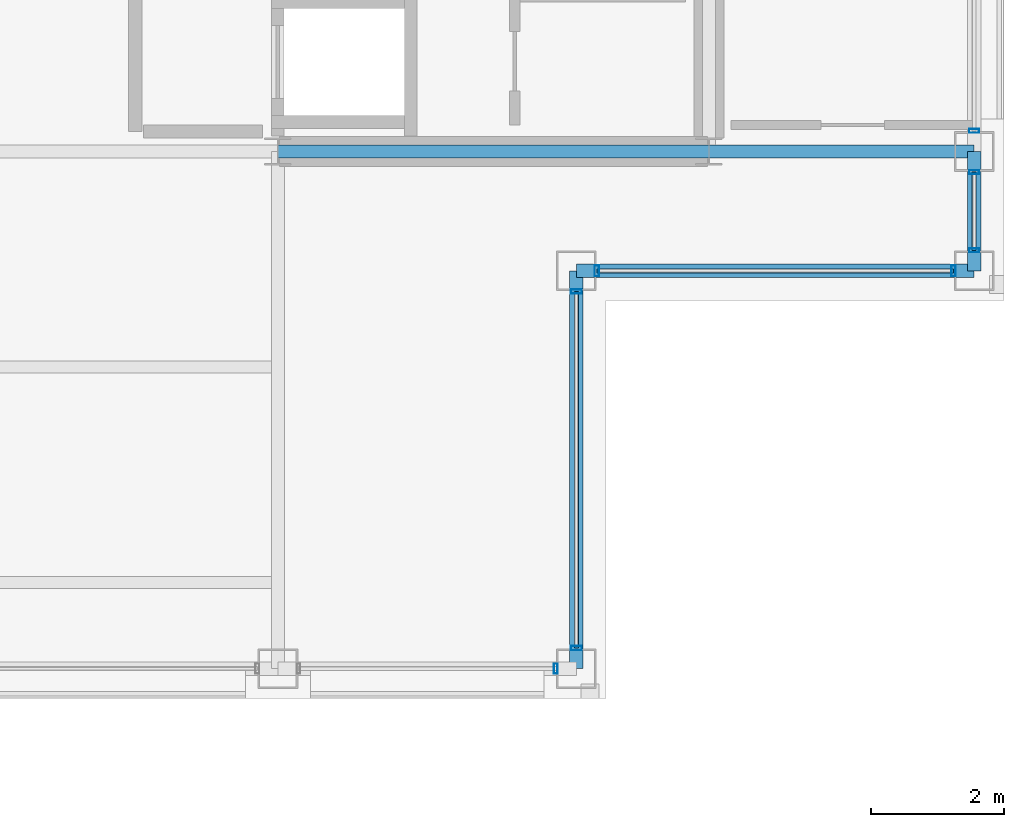
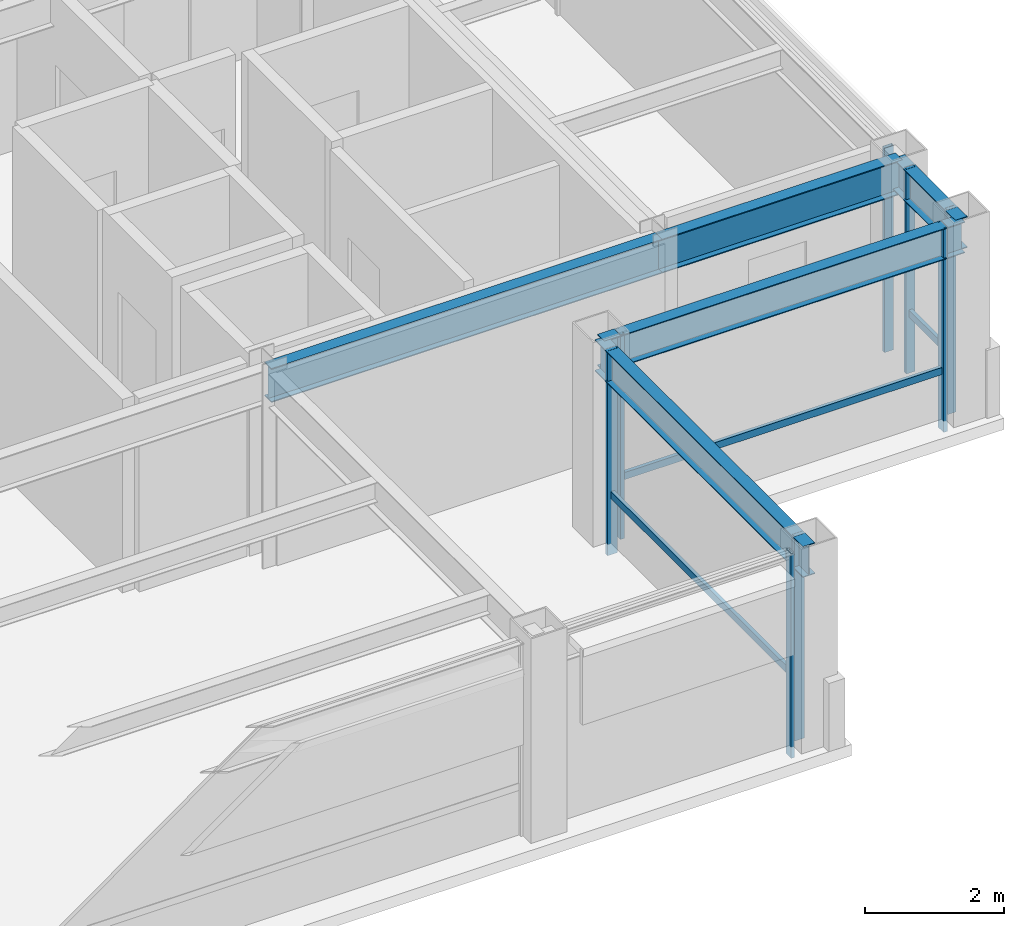
# One storey, part 15 of 28: 11 members, 5 beams, 5 elements without a shape of their own.
"""IFC4 building model written with IfcOpenShell, lengths in metres."""

from ifc_helpers import new_model, si_unit, direction, frame, origin, origin_2d, place, context, subcontext, project, spatial, hollow_rectangle, i_section, extrude, material, layer, layer_set, material_profile, profile_set, type_object, element, aggregate, save


model = new_model("IFC4")

# Units and contexts
model_context = context("Model", 3, precision=1e-05, world=origin(), true_north=direction((0.0, 1.0)))
body_context = subcontext(model_context, "Body", "Model", "MODEL_VIEW")
ifc_project = project(units=[si_unit("LENGTHUNIT", "METRE"), si_unit("AREAUNIT", "SQUARE_METRE"), si_unit("VOLUMEUNIT", "CUBIC_METRE"), si_unit("PLANEANGLEUNIT", "RADIAN"), si_unit("MASSUNIT", "GRAM", prefix="KILO")], contexts=[model_context])

# Site, building, storey
site_placement = place(None, origin())
site = spatial("IfcSite", under=ifc_project, at=site_placement, CompositionType="ELEMENT")
building_placement = place(site_placement, origin())
building = spatial("IfcBuilding", under=site, at=building_placement, Name="Brelmoor Portico Tower", CompositionType="ELEMENT")
storey_placement = place(building_placement, frame((0.0, 0.0, 265.199951171875)))
storey = spatial("IfcBuildingStorey", under=building, at=storey_placement, Name="L70", CompositionType="ELEMENT", Elevation=265.199951171875)

# Beams
ifc_material_1 = material(Name="Steel Q355B", Category="steel")
ifc_material_profile_1 = material_profile(ifc_material_1, i_section(OverallWidth=0.199951171875, OverallDepth=0.60009765625, WebThickness=0.010986328125, FlangeThickness=0.01708984375, at=origin_2d()), Name="HN 600x200x11x17")
ifc_profile_set_1 = profile_set([ifc_material_profile_1], Name="Steel Q355B")
beam_type_1 = type_object("IfcBeamType", Name="BM-PG-600", PredefinedType="BEAM", material=ifc_profile_set_1)
beam_1_placement = place(storey_placement, frame((8.050048828125, -9.75, 3.10009765625), z_axis=(1.0, 0.0, 0.0), x_axis=(0.0, 1.0, 0.0)))
element("IfcBeam", 1, at=beam_1_placement, inside=storey, type_object=beam_type_1, Name="L70 Primary Floor Girder PG-14", PredefinedType="BEAM", context=body_context, shape_type="SweptSolid", body=[
    extrude(i_section(OverallWidth=0.199951171875, OverallDepth=0.60009765625, WebThickness=0.010986328125, FlangeThickness=0.01708984375, at=origin_2d()), origin(), (0.0, 0.0, 1.0), 6.5),
])
beam_2_placement = place(storey_placement, frame((14.550048828125, -9.75, 3.10009765625), z_axis=(1.0, 0.0, 0.0), x_axis=(0.0, 1.0, 0.0)))
element("IfcBeam", 2, at=beam_2_placement, inside=storey, type_object=beam_type_1, Name="L70 Primary Floor Girder PG-15", PredefinedType="BEAM", context=body_context, shape_type="SweptSolid", body=[
    extrude(i_section(OverallWidth=0.199951171875, OverallDepth=0.60009765625, WebThickness=0.010986328125, FlangeThickness=0.01708984375, at=origin_2d()), origin(), (0.0, 0.0, 1.0), 4.0),
])
ifc_material_profile_2 = material_profile(ifc_material_1, i_section(OverallWidth=0.199951171875, OverallDepth=0.550048828125, WebThickness=0.010009765625, FlangeThickness=0.01611328125, at=origin_2d()), Name="HN 550x200x10x16")
ifc_profile_set_2 = profile_set([ifc_material_profile_2], Name="Steel Q355B")
beam_type_2 = type_object("IfcBeamType", Name="BM-SP-550", PredefinedType="SPANDREL", material=ifc_profile_set_2)
for number, where, z_axis, x_axis, name in (
    (3, (12.550048828125, -11.550048828125, 3.125), (1.0, 0.0, 0.0), (0.0, 1.0, 0.0), "L70 Perimeter Spandrel Beam SP-05"),
    (4, (12.550048828125, -17.550048828125, 3.125), (0.0, 1.0, 0.0), (-1.0, 0.0, 0.0), "L70 Perimeter Spandrel Beam SP-16"),
):
    element("IfcBeam", number, at=place(storey_placement, frame(where, z_axis=z_axis, x_axis=x_axis)), inside=storey, type_object=beam_type_2, Name=name, PredefinedType="SPANDREL", context=body_context, shape_type="SweptSolid", body=[
        extrude(i_section(OverallWidth=0.199951171875, OverallDepth=0.550048828125, WebThickness=0.010009765625, FlangeThickness=0.01611328125, at=origin_2d()), origin(), (0.0, 0.0, 1.0), 6.0),
    ])
beam_3_placement = place(storey_placement, frame((18.550048828125, -11.550048828125, 3.125), z_axis=(0.0, 1.0, 0.0), x_axis=(-1.0, 0.0, 0.0)))
element("IfcBeam", 5, at=beam_3_placement, inside=storey, type_object=beam_type_2, Name="L70 Perimeter Spandrel Beam SP-18", PredefinedType="SPANDREL", context=body_context, shape_type="SweptSolid", body=[
    extrude(i_section(OverallWidth=0.199951171875, OverallDepth=0.550048828125, WebThickness=0.010009765625, FlangeThickness=0.01611328125, at=origin_2d()), origin(), (0.0, 0.0, 1.0), 1.800048828125),
])

# Curtain wall, member
ifc_material_2 = material(Name="Anodised Aluminium Alloy 6063-T6", Category="aluminium")
ifc_layer_1 = layer(ifc_material_2, 0.179931640625)
ifc_layer_set_1 = layer_set([ifc_layer_1], Name="Anodised Aluminium Alloy 6063-T6")
curtain_wall_type_1 = type_object("IfcCurtainWallType", Name="CW-TOWER-Z4-XB", PredefinedType="NOTDEFINED", material=ifc_layer_set_1)
curtain_wall_1_placement = place(storey_placement, origin())
curtain_wall_1 = element("IfcCurtainWall", 6, at=curtain_wall_1_placement, inside=storey, type_object=curtain_wall_type_1, Name="L70 Curtain Wall CW-L70-1R-2", PredefinedType="NOTDEFINED")
ifc_material_profile_3 = material_profile(ifc_material_2, hollow_rectangle(XDim=0.06005859375, YDim=0.14990234375, WallThickness=0.00390625, at=origin_2d()), Name="ALU MULLION 60x150")
ifc_profile_set_3 = profile_set([ifc_material_profile_3], Name="Anodised Aluminium Alloy 6063-T6")
member_type_1 = type_object("IfcMemberType", Name="MB-CW-MULL-150", PredefinedType="MULLION", material=ifc_profile_set_3)
member_1_placement = place(storey_placement, frame((12.239990234375, -17.550048828125, -0.199951171875), z_axis=(0.0, 0.0, 1.0), x_axis=(1.0, 0.0, 0.0)))
member_1 = element("IfcMember", 7, at=member_1_placement, type_object=member_type_1, Name="CW-L70-1R-2 Mullion 01", PredefinedType="MULLION", context=body_context, shape_type="SweptSolid", body=[
    extrude(hollow_rectangle(XDim=0.06005859375, YDim=0.14990234375, WallThickness=0.00390625, at=origin_2d()), origin(), (0.0, 0.0, 1.0), 3.60009765625),
])
aggregate(curtain_wall_1, [member_1])

# Curtain wall, members
ifc_layer_2 = layer(ifc_material_2, 0.179931640625)
ifc_layer_set_2 = layer_set([ifc_layer_2], Name="Anodised Aluminium Alloy 6063-T6")
curtain_wall_type_2 = type_object("IfcCurtainWallType", Name="CW-TOWER-Z4", PredefinedType="NOTDEFINED", material=ifc_layer_set_2)
curtain_wall_2_placement = place(storey_placement, origin())
curtain_wall_2 = element("IfcCurtainWall", 8, at=curtain_wall_2_placement, inside=storey, type_object=curtain_wall_type_2, Name="L70 Curtain Wall CW-L70-04-1", PredefinedType="NOTDEFINED")
member_2_placement = place(storey_placement, frame((18.550048828125, -11.239990234375, -0.199951171875), z_axis=(0.0, 0.0, 1.0), x_axis=(0.0, 1.0, 0.0)))
member_2 = element("IfcMember", 9, at=member_2_placement, type_object=member_type_1, Name="CW-L70-04-1 Mullion 00", PredefinedType="MULLION", context=body_context, shape_type="SweptSolid", body=[
    extrude(hollow_rectangle(XDim=0.06005859375, YDim=0.14990234375, WallThickness=0.00390625, at=origin_2d()), origin(), (0.0, 0.0, 1.0), 3.60009765625),
])
member_3_placement = place(storey_placement, frame((18.550048828125, -10.06005859375, -0.199951171875), z_axis=(0.0, 0.0, 1.0), x_axis=(0.0, 1.0, 0.0)))
member_3 = element("IfcMember", 10, at=member_3_placement, type_object=member_type_1, Name="CW-L70-04-1 Mullion 01", PredefinedType="MULLION", context=body_context, shape_type="SweptSolid", body=[
    extrude(hollow_rectangle(XDim=0.06005859375, YDim=0.14990234375, WallThickness=0.00390625, at=origin_2d()), origin(), (0.0, 0.0, 1.0), 3.60009765625),
])

# Curtain wall, member
curtain_wall_3_placement = place(storey_placement, origin())
curtain_wall_3 = element("IfcCurtainWall", 11, at=curtain_wall_3_placement, inside=storey, type_object=curtain_wall_type_1, Name="L70 Curtain Wall CW-L70-04-2", PredefinedType="NOTDEFINED")
member_4_placement = place(storey_placement, frame((18.550048828125, -9.43994140625, -0.199951171875), z_axis=(0.0, 0.0, 1.0), x_axis=(0.0, 1.0, 0.0)))
member_4 = element("IfcMember", 12, at=member_4_placement, type_object=member_type_1, Name="CW-L70-04-2 Mullion 00", PredefinedType="MULLION", context=body_context, shape_type="SweptSolid", body=[
    extrude(hollow_rectangle(XDim=0.06005859375, YDim=0.14990234375, WallThickness=0.00390625, at=origin_2d()), origin(), (0.0, 0.0, 1.0), 3.60009765625),
])
aggregate(curtain_wall_3, [member_4])

# Curtain wall, members
ifc_layer_3 = layer(ifc_material_2, 0.179931640625)
ifc_layer_set_3 = layer_set([ifc_layer_3], Name="Anodised Aluminium Alloy 6063-T6")
curtain_wall_type_3 = type_object("IfcCurtainWallType", Name="CW-NOTCH-CHAMFER", PredefinedType="NOTDEFINED", material=ifc_layer_set_3)
curtain_wall_4_placement = place(storey_placement, origin())
curtain_wall_4 = element("IfcCurtainWall", 13, at=curtain_wall_4_placement, inside=storey, type_object=curtain_wall_type_3, Name="L70 Curtain Wall CWN-L70-SEH", PredefinedType="NOTDEFINED")
ifc_material_profile_4 = material_profile(ifc_material_2, hollow_rectangle(XDim=0.06494140625, YDim=0.1650390625, WallThickness=0.00390625, at=origin_2d()), Name="ALU MULLION 65x165")
ifc_profile_set_4 = profile_set([ifc_material_profile_4], Name="Anodised Aluminium Alloy 6063-T6")
member_type_2 = type_object("IfcMemberType", Name="MB-CW-MULL-165", PredefinedType="MULLION", material=ifc_profile_set_4)
member_5_placement = place(storey_placement, frame((12.860107421875, -11.550048828125, -0.199951171875), z_axis=(0.0, 0.0, 1.0), x_axis=(1.0, 0.0, 0.0)))
member_5 = element("IfcMember", 14, at=member_5_placement, type_object=member_type_2, Name="CWN-L70-SEH Mullion 00", PredefinedType="MULLION", context=body_context, shape_type="SweptSolid", body=[
    extrude(hollow_rectangle(XDim=0.06494140625, YDim=0.1650390625, WallThickness=0.00390625, at=origin_2d()), origin(), (0.0, 0.0, 1.0), 3.60009765625),
])
member_6_placement = place(storey_placement, frame((18.239990234375, -11.550048828125, -0.199951171875), z_axis=(0.0, 0.0, 1.0), x_axis=(1.0, 0.0, 0.0)))
member_6 = element("IfcMember", 15, at=member_6_placement, type_object=member_type_2, Name="CWN-L70-SEH Mullion 01", PredefinedType="MULLION", context=body_context, shape_type="SweptSolid", body=[
    extrude(hollow_rectangle(XDim=0.06494140625, YDim=0.1650390625, WallThickness=0.00390625, at=origin_2d()), origin(), (0.0, 0.0, 1.0), 3.60009765625),
])

curtain_wall_5_placement = place(storey_placement, origin())
curtain_wall_5 = element("IfcCurtainWall", 16, at=curtain_wall_5_placement, inside=storey, type_object=curtain_wall_type_3, Name="L70 Curtain Wall CWN-L70-SEV", PredefinedType="NOTDEFINED")
member_7_placement = place(storey_placement, frame((12.550048828125, -17.239990234375, -0.199951171875), z_axis=(0.0, 0.0, 1.0), x_axis=(0.0, 1.0, 0.0)))
member_7 = element("IfcMember", 17, at=member_7_placement, type_object=member_type_2, Name="CWN-L70-SEV Mullion 00", PredefinedType="MULLION", context=body_context, shape_type="SweptSolid", body=[
    extrude(hollow_rectangle(XDim=0.06494140625, YDim=0.1650390625, WallThickness=0.00390625, at=origin_2d()), origin(), (0.0, 0.0, 1.0), 3.60009765625),
])
member_8_placement = place(storey_placement, frame((12.550048828125, -11.860107421875, -0.199951171875), z_axis=(0.0, 0.0, 1.0), x_axis=(0.0, 1.0, 0.0)))
member_8 = element("IfcMember", 18, at=member_8_placement, type_object=member_type_2, Name="CWN-L70-SEV Mullion 01", PredefinedType="MULLION", context=body_context, shape_type="SweptSolid", body=[
    extrude(hollow_rectangle(XDim=0.06494140625, YDim=0.1650390625, WallThickness=0.00390625, at=origin_2d()), origin(), (0.0, 0.0, 1.0), 3.60009765625),
])

# Member
ifc_material_profile_5 = material_profile(ifc_material_2, hollow_rectangle(XDim=0.06005859375, YDim=0.125, WallThickness=0.00341796875, at=origin_2d()), Name="ALU TRANSOM 60x125")
ifc_profile_set_5 = profile_set([ifc_material_profile_5], Name="Anodised Aluminium Alloy 6063-T6")
member_type_3 = type_object("IfcMemberType", Name="MB-CW-TRAN-125", PredefinedType="USERDEFINED", material=ifc_profile_set_5)
member_9_placement = place(storey_placement, frame((18.550048828125, -11.239990234375, 0.85009765625), z_axis=(0.0, 1.0, 0.0), x_axis=(-1.0, 0.0, 0.0)))
member_9 = element("IfcMember", 19, at=member_9_placement, type_object=member_type_3, Name="CW-L70-04-1 Transom 1-00", ObjectType="TRANSOM", PredefinedType="USERDEFINED", context=body_context, shape_type="SweptSolid", body=[
    extrude(hollow_rectangle(XDim=0.06005859375, YDim=0.125, WallThickness=0.00341796875, at=origin_2d()), origin(), (0.0, 0.0, 1.0), 1.179931640625),
])

aggregate(curtain_wall_2, [member_2, member_3, member_9])

member_10_placement = place(storey_placement, frame((12.860107421875, -11.550048828125, 0.85009765625), z_axis=(1.0, 0.0, 0.0), x_axis=(0.0, 1.0, 0.0)))
member_10 = element("IfcMember", 20, at=member_10_placement, type_object=member_type_3, Name="CWN-L70-SEH Transom 1-00", ObjectType="TRANSOM", PredefinedType="USERDEFINED", context=body_context, shape_type="SweptSolid", body=[
    extrude(hollow_rectangle(XDim=0.06005859375, YDim=0.125, WallThickness=0.00341796875, at=origin_2d()), origin(), (0.0, 0.0, 1.0), 5.3798828125),
])

aggregate(curtain_wall_4, [member_5, member_6, member_10])

member_11_placement = place(storey_placement, frame((12.550048828125, -17.239990234375, 0.85009765625), z_axis=(0.0, 1.0, 0.0), x_axis=(-1.0, 0.0, 0.0)))
member_11 = element("IfcMember", 21, at=member_11_placement, type_object=member_type_3, Name="CWN-L70-SEV Transom 1-00", ObjectType="TRANSOM", PredefinedType="USERDEFINED", context=body_context, shape_type="SweptSolid", body=[
    extrude(hollow_rectangle(XDim=0.06005859375, YDim=0.125, WallThickness=0.00341796875, at=origin_2d()), origin(), (0.0, 0.0, 1.0), 5.3798828125),
])

aggregate(curtain_wall_5, [member_7, member_8, member_11])

save(model, "model.ifc")
